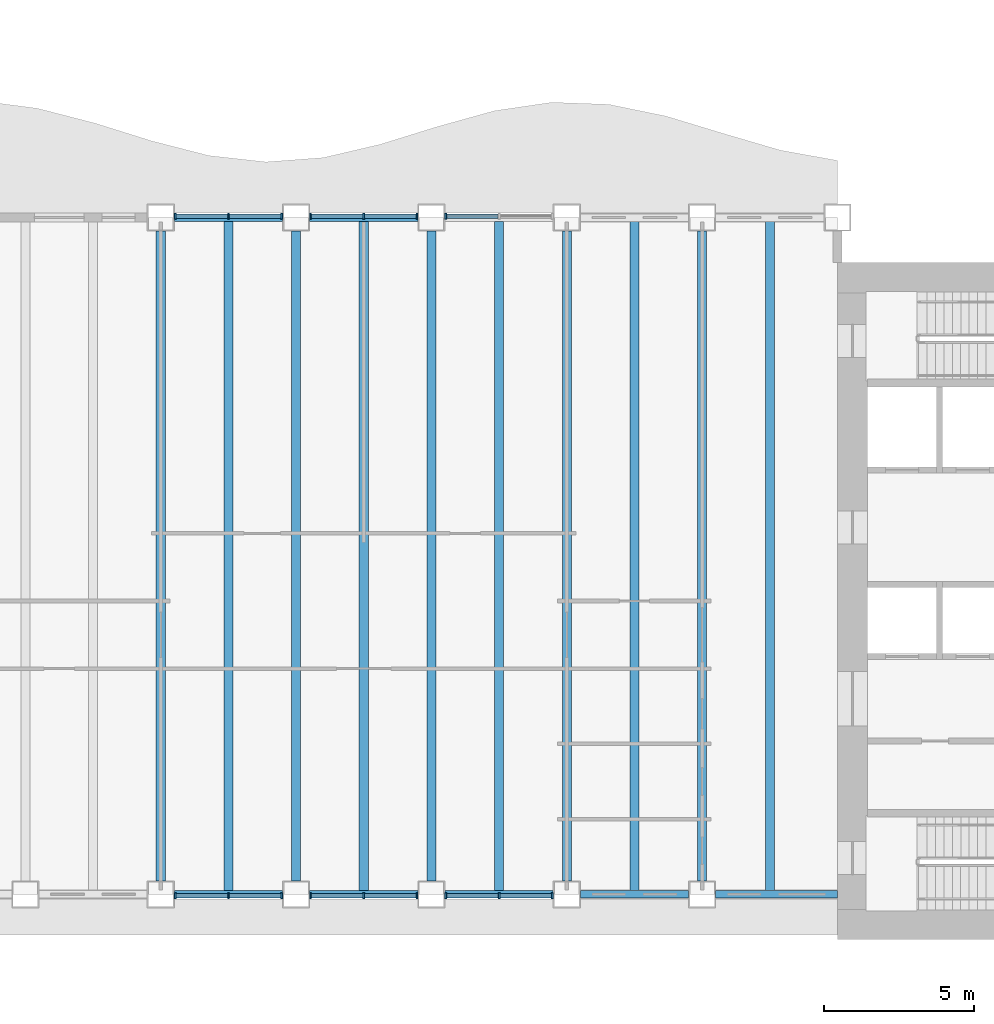
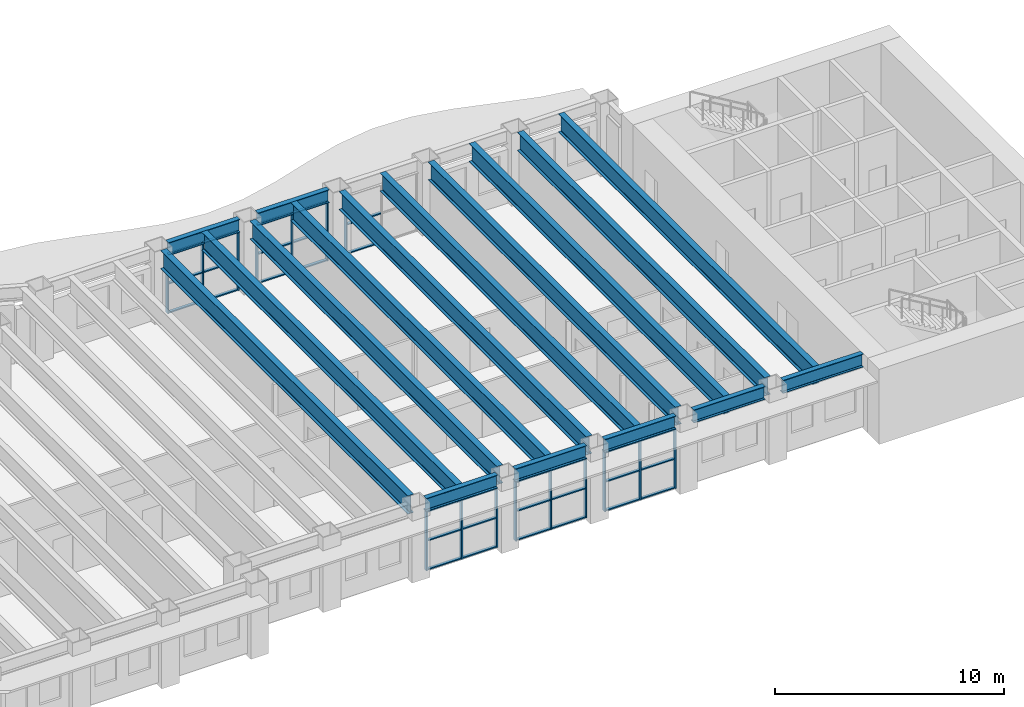
# One storey, part 2 of 17: 48 members, 17 beams, 6 elements without a shape of their own.
"""IFC4 building model written with IfcOpenShell, lengths in metres."""

from ifc_helpers import new_model, si_unit, direction, frame, origin, origin_2d, place, context, subcontext, project, spatial, rectangle, i_section, extrude, material, material_profile, profile_set, type_object, element, aggregate, save


model = new_model("IFC4")

# Units and contexts
model_context = context("Model", 3, precision=1e-05, world=origin(), true_north=direction((0.0, 1.0)))
body_context = subcontext(model_context, "Body", "Model", "MODEL_VIEW")
ifc_project = project(units=[si_unit("LENGTHUNIT", "METRE"), si_unit("AREAUNIT", "SQUARE_METRE"), si_unit("VOLUMEUNIT", "CUBIC_METRE"), si_unit("PLANEANGLEUNIT", "RADIAN"), si_unit("MASSUNIT", "GRAM", prefix="KILO")], contexts=[model_context])

# Site, building, storey
site_placement = place(None, origin())
site = spatial("IfcSite", under=ifc_project, at=site_placement, CompositionType="ELEMENT")
building_placement = place(site_placement, origin())
building = spatial("IfcBuilding", under=site, at=building_placement, Name="Sennacour Bend Tower", CompositionType="ELEMENT")
storey_placement = place(building_placement, frame((0.0, 0.0, 151.0)))
storey = spatial("IfcBuildingStorey", under=building, at=storey_placement, Name="L34", CompositionType="ELEMENT", Elevation=151.0)

# Curtain wall, members
ifc_material_1 = material(Name="Bronze anodised aluminium curtain wall with clear glass", Category="aluminium")
curtain_wall_type = type_object("IfcCurtainWallType", Name="CURTAIN WALL BRIDGE", PredefinedType="NOTDEFINED", material=ifc_material_1)
curtain_wall_1_placement = place(storey_placement, origin())
curtain_wall_1 = element("IfcCurtainWall", 1, at=curtain_wall_1_placement, inside=storey, type_object=curtain_wall_type, Name="Sky bridge glass wall L34", PredefinedType="NOTDEFINED")
ifc_material_2 = material(Name="Aluminium 6063-T6", Category="aluminium")
ifc_material_profile_1 = material_profile(ifc_material_2, rectangle(XDim=0.199951171875, YDim=0.06005859375, at=origin_2d()), Name="Aluminium 6063-T6", Category="aluminium")
ifc_profile_set_1 = profile_set([ifc_material_profile_1], Name="Aluminium 6063-T6")
member_type_1 = type_object("IfcMemberType", Name="CW-MULLION-200X60", PredefinedType="MULLION", material=ifc_profile_set_1)
member_1_placement = place(storey_placement, frame((31.97998046875, 1.449951171875, 0.0), z_axis=(0.0, 0.0, 1.0), x_axis=(0.0, 1.0, 0.0)))
member_1 = element("IfcMember", 2, at=member_1_placement, type_object=member_type_1, Name="GW5 curtain wall mullion 1", PredefinedType="MULLION", context=body_context, shape_type="SweptSolid", body=[
    extrude(rectangle(XDim=0.199951171875, YDim=0.06005859375, at=origin_2d()), origin(), (0.0, 0.0, 1.0), 3.14892578125),
])
member_2_placement = place(storey_placement, frame((33.75, 1.449951171875, 0.0), z_axis=(0.0, 0.0, 1.0), x_axis=(0.0, 1.0, 0.0)))
member_2 = element("IfcMember", 3, at=member_2_placement, type_object=member_type_1, Name="GW5 curtain wall mullion 2", PredefinedType="MULLION", context=body_context, shape_type="SweptSolid", body=[
    extrude(rectangle(XDim=0.199951171875, YDim=0.06005859375, at=origin_2d()), origin(), (0.0, 0.0, 1.0), 3.14892578125),
])
member_3_placement = place(storey_placement, frame((35.52001953125, 1.449951171875, 0.0), z_axis=(0.0, 0.0, 1.0), x_axis=(0.0, 1.0, 0.0)))
member_3 = element("IfcMember", 4, at=member_3_placement, type_object=member_type_1, Name="GW5 curtain wall mullion 3", PredefinedType="MULLION", context=body_context, shape_type="SweptSolid", body=[
    extrude(rectangle(XDim=0.199951171875, YDim=0.06005859375, at=origin_2d()), origin(), (0.0, 0.0, 1.0), 3.14892578125),
])

curtain_wall_2_placement = place(storey_placement, origin())
curtain_wall_2 = element("IfcCurtainWall", 5, at=curtain_wall_2_placement, inside=storey, type_object=curtain_wall_type, Name="Sky bridge glass wall L34", PredefinedType="NOTDEFINED")
member_4_placement = place(storey_placement, frame((36.47998046875, 1.449951171875, 0.0), z_axis=(0.0, 0.0, 1.0), x_axis=(0.0, 1.0, 0.0)))
member_4 = element("IfcMember", 6, at=member_4_placement, type_object=member_type_1, Name="GW5 curtain wall mullion 1", PredefinedType="MULLION", context=body_context, shape_type="SweptSolid", body=[
    extrude(rectangle(XDim=0.199951171875, YDim=0.06005859375, at=origin_2d()), origin(), (0.0, 0.0, 1.0), 3.14892578125),
])
member_5_placement = place(storey_placement, frame((38.25, 1.449951171875, 0.0), z_axis=(0.0, 0.0, 1.0), x_axis=(0.0, 1.0, 0.0)))
member_5 = element("IfcMember", 7, at=member_5_placement, type_object=member_type_1, Name="GW5 curtain wall mullion 2", PredefinedType="MULLION", context=body_context, shape_type="SweptSolid", body=[
    extrude(rectangle(XDim=0.199951171875, YDim=0.06005859375, at=origin_2d()), origin(), (0.0, 0.0, 1.0), 3.14892578125),
])
member_6_placement = place(storey_placement, frame((40.02001953125, 1.449951171875, 0.0), z_axis=(0.0, 0.0, 1.0), x_axis=(0.0, 1.0, 0.0)))
member_6 = element("IfcMember", 8, at=member_6_placement, type_object=member_type_1, Name="GW5 curtain wall mullion 3", PredefinedType="MULLION", context=body_context, shape_type="SweptSolid", body=[
    extrude(rectangle(XDim=0.199951171875, YDim=0.06005859375, at=origin_2d()), origin(), (0.0, 0.0, 1.0), 3.14892578125),
])

curtain_wall_3_placement = place(storey_placement, origin())
curtain_wall_3 = element("IfcCurtainWall", 9, at=curtain_wall_3_placement, inside=storey, type_object=curtain_wall_type, Name="Sky bridge glass wall L34", PredefinedType="NOTDEFINED")
member_7_placement = place(storey_placement, frame((40.97998046875, 1.449951171875, 0.0), z_axis=(0.0, 0.0, 1.0), x_axis=(0.0, 1.0, 0.0)))
member_7 = element("IfcMember", 10, at=member_7_placement, type_object=member_type_1, Name="GW5 curtain wall mullion 1", PredefinedType="MULLION", context=body_context, shape_type="SweptSolid", body=[
    extrude(rectangle(XDim=0.199951171875, YDim=0.06005859375, at=origin_2d()), origin(), (0.0, 0.0, 1.0), 3.14892578125),
])
member_8_placement = place(storey_placement, frame((42.75, 1.449951171875, 0.0), z_axis=(0.0, 0.0, 1.0), x_axis=(0.0, 1.0, 0.0)))
member_8 = element("IfcMember", 11, at=member_8_placement, type_object=member_type_1, Name="GW5 curtain wall mullion 2", PredefinedType="MULLION", context=body_context, shape_type="SweptSolid", body=[
    extrude(rectangle(XDim=0.199951171875, YDim=0.06005859375, at=origin_2d()), origin(), (0.0, 0.0, 1.0), 3.14892578125),
])
member_9_placement = place(storey_placement, frame((44.52001953125, 1.449951171875, 0.0), z_axis=(0.0, 0.0, 1.0), x_axis=(0.0, 1.0, 0.0)))
member_9 = element("IfcMember", 12, at=member_9_placement, type_object=member_type_1, Name="GW5 curtain wall mullion 3", PredefinedType="MULLION", context=body_context, shape_type="SweptSolid", body=[
    extrude(rectangle(XDim=0.199951171875, YDim=0.06005859375, at=origin_2d()), origin(), (0.0, 0.0, 1.0), 3.14892578125),
])

# Curtain wall, member
curtain_wall_4_placement = place(storey_placement, origin())
curtain_wall_4 = element("IfcCurtainWall", 13, at=curtain_wall_4_placement, inside=storey, type_object=curtain_wall_type, Name="Sky bridge glass wall L34", PredefinedType="NOTDEFINED")
member_10_placement = place(storey_placement, frame((40.97998046875, 24.050048828125, 0.0), z_axis=(0.0, 0.0, 1.0), x_axis=(0.0, -1.0, 0.0)))
member_10 = element("IfcMember", 14, at=member_10_placement, type_object=member_type_1, Name="GW5 curtain wall mullion 3", PredefinedType="MULLION", context=body_context, shape_type="SweptSolid", body=[
    extrude(rectangle(XDim=0.199951171875, YDim=0.06005859375, at=origin_2d()), origin(), (0.0, 0.0, 1.0), 3.14892578125),
])

# Curtain wall, members
curtain_wall_5_placement = place(storey_placement, origin())
curtain_wall_5 = element("IfcCurtainWall", 15, at=curtain_wall_5_placement, inside=storey, type_object=curtain_wall_type, Name="Sky bridge glass wall L34", PredefinedType="NOTDEFINED")
member_11_placement = place(storey_placement, frame((40.02001953125, 24.050048828125, 0.0), z_axis=(0.0, 0.0, 1.0), x_axis=(0.0, -1.0, 0.0)))
member_11 = element("IfcMember", 16, at=member_11_placement, type_object=member_type_1, Name="GW5 curtain wall mullion 1", PredefinedType="MULLION", context=body_context, shape_type="SweptSolid", body=[
    extrude(rectangle(XDim=0.199951171875, YDim=0.06005859375, at=origin_2d()), origin(), (0.0, 0.0, 1.0), 3.14892578125),
])
member_12_placement = place(storey_placement, frame((38.25, 24.050048828125, 0.0), z_axis=(0.0, 0.0, 1.0), x_axis=(0.0, -1.0, 0.0)))
member_12 = element("IfcMember", 17, at=member_12_placement, type_object=member_type_1, Name="GW5 curtain wall mullion 2", PredefinedType="MULLION", context=body_context, shape_type="SweptSolid", body=[
    extrude(rectangle(XDim=0.199951171875, YDim=0.06005859375, at=origin_2d()), origin(), (0.0, 0.0, 1.0), 3.14892578125),
])
member_13_placement = place(storey_placement, frame((36.47998046875, 24.050048828125, 0.0), z_axis=(0.0, 0.0, 1.0), x_axis=(0.0, -1.0, 0.0)))
member_13 = element("IfcMember", 18, at=member_13_placement, type_object=member_type_1, Name="GW5 curtain wall mullion 3", PredefinedType="MULLION", context=body_context, shape_type="SweptSolid", body=[
    extrude(rectangle(XDim=0.199951171875, YDim=0.06005859375, at=origin_2d()), origin(), (0.0, 0.0, 1.0), 3.14892578125),
])

curtain_wall_6_placement = place(storey_placement, origin())
curtain_wall_6 = element("IfcCurtainWall", 19, at=curtain_wall_6_placement, inside=storey, type_object=curtain_wall_type, Name="Sky bridge glass wall L34", PredefinedType="NOTDEFINED")
member_14_placement = place(storey_placement, frame((35.52001953125, 24.050048828125, 0.0), z_axis=(0.0, 0.0, 1.0), x_axis=(0.0, -1.0, 0.0)))
member_14 = element("IfcMember", 20, at=member_14_placement, type_object=member_type_1, Name="GW5 curtain wall mullion 1", PredefinedType="MULLION", context=body_context, shape_type="SweptSolid", body=[
    extrude(rectangle(XDim=0.199951171875, YDim=0.06005859375, at=origin_2d()), origin(), (0.0, 0.0, 1.0), 3.14892578125),
])
member_15_placement = place(storey_placement, frame((33.75, 24.050048828125, 0.0), z_axis=(0.0, 0.0, 1.0), x_axis=(0.0, -1.0, 0.0)))
member_15 = element("IfcMember", 21, at=member_15_placement, type_object=member_type_1, Name="GW5 curtain wall mullion 2", PredefinedType="MULLION", context=body_context, shape_type="SweptSolid", body=[
    extrude(rectangle(XDim=0.199951171875, YDim=0.06005859375, at=origin_2d()), origin(), (0.0, 0.0, 1.0), 3.14892578125),
])
member_16_placement = place(storey_placement, frame((31.97998046875, 24.050048828125, 0.0), z_axis=(0.0, 0.0, 1.0), x_axis=(0.0, -1.0, 0.0)))
member_16 = element("IfcMember", 22, at=member_16_placement, type_object=member_type_1, Name="GW5 curtain wall mullion 3", PredefinedType="MULLION", context=body_context, shape_type="SweptSolid", body=[
    extrude(rectangle(XDim=0.199951171875, YDim=0.06005859375, at=origin_2d()), origin(), (0.0, 0.0, 1.0), 3.14892578125),
])

# Member
ifc_material_profile_2 = material_profile(ifc_material_2, rectangle(XDim=0.14990234375, YDim=0.06005859375, at=origin_2d()), Name="Aluminium 6063-T6", Category="aluminium")
ifc_profile_set_2 = profile_set([ifc_material_profile_2], Name="Aluminium 6063-T6")
member_type_2 = type_object("IfcMemberType", Name="CW-TRANSOM-150X60", PredefinedType="USERDEFINED", material=ifc_profile_set_2)
member_17_placement = place(storey_placement, frame((32.010009765625, 1.449951171875, 0.030029296875), z_axis=(1.0, 0.0, 0.0), x_axis=(0.0, 1.0, 0.0)))
member_17 = element("IfcMember", 23, at=member_17_placement, type_object=member_type_2, Name="GW5 curtain wall transom 1.1", ObjectType="TRANSOM", PredefinedType="USERDEFINED", context=body_context, shape_type="SweptSolid", body=[
    extrude(rectangle(XDim=0.14990234375, YDim=0.06005859375, at=origin_2d()), origin(), (0.0, 0.0, 1.0), 1.7099609375),
])

member_18_placement = place(storey_placement, frame((32.010009765625, 1.449951171875, 1.574951171875), z_axis=(1.0, 0.0, 0.0), x_axis=(0.0, 1.0, 0.0)))
member_18 = element("IfcMember", 24, at=member_18_placement, type_object=member_type_2, Name="GW5 curtain wall transom 1.2", ObjectType="TRANSOM", PredefinedType="USERDEFINED", context=body_context, shape_type="SweptSolid", body=[
    extrude(rectangle(XDim=0.14990234375, YDim=0.06005859375, at=origin_2d()), origin(), (0.0, 0.0, 1.0), 1.7099609375),
])

member_19_placement = place(storey_placement, frame((32.010009765625, 1.449951171875, 3.118896484375), z_axis=(1.0, 0.0, 0.0), x_axis=(0.0, 1.0, 0.0)))
member_19 = element("IfcMember", 25, at=member_19_placement, type_object=member_type_2, Name="GW5 curtain wall transom 1.3", ObjectType="TRANSOM", PredefinedType="USERDEFINED", context=body_context, shape_type="SweptSolid", body=[
    extrude(rectangle(XDim=0.14990234375, YDim=0.06005859375, at=origin_2d()), origin(), (0.0, 0.0, 1.0), 1.7099609375),
])

member_20_placement = place(storey_placement, frame((33.780029296875, 1.449951171875, 0.030029296875), z_axis=(1.0, 0.0, 0.0), x_axis=(0.0, 1.0, 0.0)))
member_20 = element("IfcMember", 26, at=member_20_placement, type_object=member_type_2, Name="GW5 curtain wall transom 2.1", ObjectType="TRANSOM", PredefinedType="USERDEFINED", context=body_context, shape_type="SweptSolid", body=[
    extrude(rectangle(XDim=0.14990234375, YDim=0.06005859375, at=origin_2d()), origin(), (0.0, 0.0, 1.0), 1.7099609375),
])

member_21_placement = place(storey_placement, frame((33.780029296875, 1.449951171875, 1.574951171875), z_axis=(1.0, 0.0, 0.0), x_axis=(0.0, 1.0, 0.0)))
member_21 = element("IfcMember", 27, at=member_21_placement, type_object=member_type_2, Name="GW5 curtain wall transom 2.2", ObjectType="TRANSOM", PredefinedType="USERDEFINED", context=body_context, shape_type="SweptSolid", body=[
    extrude(rectangle(XDim=0.14990234375, YDim=0.06005859375, at=origin_2d()), origin(), (0.0, 0.0, 1.0), 1.7099609375),
])

member_22_placement = place(storey_placement, frame((33.780029296875, 1.449951171875, 3.118896484375), z_axis=(1.0, 0.0, 0.0), x_axis=(0.0, 1.0, 0.0)))
member_22 = element("IfcMember", 28, at=member_22_placement, type_object=member_type_2, Name="GW5 curtain wall transom 2.3", ObjectType="TRANSOM", PredefinedType="USERDEFINED", context=body_context, shape_type="SweptSolid", body=[
    extrude(rectangle(XDim=0.14990234375, YDim=0.06005859375, at=origin_2d()), origin(), (0.0, 0.0, 1.0), 1.7099609375),
])

aggregate(curtain_wall_1, [member_1, member_2, member_3, member_17, member_18, member_19, member_20, member_21, member_22])

member_23_placement = place(storey_placement, frame((36.510009765625, 1.449951171875, 0.030029296875), z_axis=(1.0, 0.0, 0.0), x_axis=(0.0, 1.0, 0.0)))
member_23 = element("IfcMember", 29, at=member_23_placement, type_object=member_type_2, Name="GW5 curtain wall transom 1.1", ObjectType="TRANSOM", PredefinedType="USERDEFINED", context=body_context, shape_type="SweptSolid", body=[
    extrude(rectangle(XDim=0.14990234375, YDim=0.06005859375, at=origin_2d()), origin(), (0.0, 0.0, 1.0), 1.7099609375),
])

member_24_placement = place(storey_placement, frame((36.510009765625, 1.449951171875, 1.574951171875), z_axis=(1.0, 0.0, 0.0), x_axis=(0.0, 1.0, 0.0)))
member_24 = element("IfcMember", 30, at=member_24_placement, type_object=member_type_2, Name="GW5 curtain wall transom 1.2", ObjectType="TRANSOM", PredefinedType="USERDEFINED", context=body_context, shape_type="SweptSolid", body=[
    extrude(rectangle(XDim=0.14990234375, YDim=0.06005859375, at=origin_2d()), origin(), (0.0, 0.0, 1.0), 1.7099609375),
])

member_25_placement = place(storey_placement, frame((36.510009765625, 1.449951171875, 3.118896484375), z_axis=(1.0, 0.0, 0.0), x_axis=(0.0, 1.0, 0.0)))
member_25 = element("IfcMember", 31, at=member_25_placement, type_object=member_type_2, Name="GW5 curtain wall transom 1.3", ObjectType="TRANSOM", PredefinedType="USERDEFINED", context=body_context, shape_type="SweptSolid", body=[
    extrude(rectangle(XDim=0.14990234375, YDim=0.06005859375, at=origin_2d()), origin(), (0.0, 0.0, 1.0), 1.7099609375),
])

member_26_placement = place(storey_placement, frame((38.280029296875, 1.449951171875, 0.030029296875), z_axis=(1.0, 0.0, 0.0), x_axis=(0.0, 1.0, 0.0)))
member_26 = element("IfcMember", 32, at=member_26_placement, type_object=member_type_2, Name="GW5 curtain wall transom 2.1", ObjectType="TRANSOM", PredefinedType="USERDEFINED", context=body_context, shape_type="SweptSolid", body=[
    extrude(rectangle(XDim=0.14990234375, YDim=0.06005859375, at=origin_2d()), origin(), (0.0, 0.0, 1.0), 1.7099609375),
])

member_27_placement = place(storey_placement, frame((38.280029296875, 1.449951171875, 1.574951171875), z_axis=(1.0, 0.0, 0.0), x_axis=(0.0, 1.0, 0.0)))
member_27 = element("IfcMember", 33, at=member_27_placement, type_object=member_type_2, Name="GW5 curtain wall transom 2.2", ObjectType="TRANSOM", PredefinedType="USERDEFINED", context=body_context, shape_type="SweptSolid", body=[
    extrude(rectangle(XDim=0.14990234375, YDim=0.06005859375, at=origin_2d()), origin(), (0.0, 0.0, 1.0), 1.7099609375),
])

member_28_placement = place(storey_placement, frame((38.280029296875, 1.449951171875, 3.118896484375), z_axis=(1.0, 0.0, 0.0), x_axis=(0.0, 1.0, 0.0)))
member_28 = element("IfcMember", 34, at=member_28_placement, type_object=member_type_2, Name="GW5 curtain wall transom 2.3", ObjectType="TRANSOM", PredefinedType="USERDEFINED", context=body_context, shape_type="SweptSolid", body=[
    extrude(rectangle(XDim=0.14990234375, YDim=0.06005859375, at=origin_2d()), origin(), (0.0, 0.0, 1.0), 1.7099609375),
])

aggregate(curtain_wall_2, [member_4, member_5, member_6, member_23, member_24, member_25, member_26, member_27, member_28])

member_29_placement = place(storey_placement, frame((41.010009765625, 1.449951171875, 0.030029296875), z_axis=(1.0, 0.0, 0.0), x_axis=(0.0, 1.0, 0.0)))
member_29 = element("IfcMember", 35, at=member_29_placement, type_object=member_type_2, Name="GW5 curtain wall transom 1.1", ObjectType="TRANSOM", PredefinedType="USERDEFINED", context=body_context, shape_type="SweptSolid", body=[
    extrude(rectangle(XDim=0.14990234375, YDim=0.06005859375, at=origin_2d()), origin(), (0.0, 0.0, 1.0), 1.7099609375),
])

member_30_placement = place(storey_placement, frame((41.010009765625, 1.449951171875, 1.574951171875), z_axis=(1.0, 0.0, 0.0), x_axis=(0.0, 1.0, 0.0)))
member_30 = element("IfcMember", 36, at=member_30_placement, type_object=member_type_2, Name="GW5 curtain wall transom 1.2", ObjectType="TRANSOM", PredefinedType="USERDEFINED", context=body_context, shape_type="SweptSolid", body=[
    extrude(rectangle(XDim=0.14990234375, YDim=0.06005859375, at=origin_2d()), origin(), (0.0, 0.0, 1.0), 1.7099609375),
])

member_31_placement = place(storey_placement, frame((41.010009765625, 1.449951171875, 3.118896484375), z_axis=(1.0, 0.0, 0.0), x_axis=(0.0, 1.0, 0.0)))
member_31 = element("IfcMember", 37, at=member_31_placement, type_object=member_type_2, Name="GW5 curtain wall transom 1.3", ObjectType="TRANSOM", PredefinedType="USERDEFINED", context=body_context, shape_type="SweptSolid", body=[
    extrude(rectangle(XDim=0.14990234375, YDim=0.06005859375, at=origin_2d()), origin(), (0.0, 0.0, 1.0), 1.7099609375),
])

member_32_placement = place(storey_placement, frame((42.780029296875, 1.449951171875, 0.030029296875), z_axis=(1.0, 0.0, 0.0), x_axis=(0.0, 1.0, 0.0)))
member_32 = element("IfcMember", 38, at=member_32_placement, type_object=member_type_2, Name="GW5 curtain wall transom 2.1", ObjectType="TRANSOM", PredefinedType="USERDEFINED", context=body_context, shape_type="SweptSolid", body=[
    extrude(rectangle(XDim=0.14990234375, YDim=0.06005859375, at=origin_2d()), origin(), (0.0, 0.0, 1.0), 1.7099609375),
])

member_33_placement = place(storey_placement, frame((42.780029296875, 1.449951171875, 1.574951171875), z_axis=(1.0, 0.0, 0.0), x_axis=(0.0, 1.0, 0.0)))
member_33 = element("IfcMember", 39, at=member_33_placement, type_object=member_type_2, Name="GW5 curtain wall transom 2.2", ObjectType="TRANSOM", PredefinedType="USERDEFINED", context=body_context, shape_type="SweptSolid", body=[
    extrude(rectangle(XDim=0.14990234375, YDim=0.06005859375, at=origin_2d()), origin(), (0.0, 0.0, 1.0), 1.7099609375),
])

member_34_placement = place(storey_placement, frame((42.780029296875, 1.449951171875, 3.118896484375), z_axis=(1.0, 0.0, 0.0), x_axis=(0.0, 1.0, 0.0)))
member_34 = element("IfcMember", 40, at=member_34_placement, type_object=member_type_2, Name="GW5 curtain wall transom 2.3", ObjectType="TRANSOM", PredefinedType="USERDEFINED", context=body_context, shape_type="SweptSolid", body=[
    extrude(rectangle(XDim=0.14990234375, YDim=0.06005859375, at=origin_2d()), origin(), (0.0, 0.0, 1.0), 1.7099609375),
])

aggregate(curtain_wall_3, [member_7, member_8, member_9, member_29, member_30, member_31, member_32, member_33, member_34])

member_35_placement = place(storey_placement, frame((42.719970703125, 24.050048828125, 0.030029296875), z_axis=(-1.0, 0.0, 0.0), x_axis=(0.0, -1.0, 0.0)))
member_35 = element("IfcMember", 41, at=member_35_placement, type_object=member_type_2, Name="GW5 curtain wall transom 2.1", ObjectType="TRANSOM", PredefinedType="USERDEFINED", context=body_context, shape_type="SweptSolid", body=[
    extrude(rectangle(XDim=0.14990234375, YDim=0.06005859375, at=origin_2d()), origin(), (0.0, 0.0, 1.0), 1.7099609375),
])

member_36_placement = place(storey_placement, frame((42.719970703125, 24.050048828125, 1.574951171875), z_axis=(-1.0, 0.0, 0.0), x_axis=(0.0, -1.0, 0.0)))
member_36 = element("IfcMember", 42, at=member_36_placement, type_object=member_type_2, Name="GW5 curtain wall transom 2.2", ObjectType="TRANSOM", PredefinedType="USERDEFINED", context=body_context, shape_type="SweptSolid", body=[
    extrude(rectangle(XDim=0.14990234375, YDim=0.06005859375, at=origin_2d()), origin(), (0.0, 0.0, 1.0), 1.7099609375),
])

aggregate(curtain_wall_4, [member_10, member_35, member_36])

member_37_placement = place(storey_placement, frame((39.989990234375, 24.050048828125, 0.030029296875), z_axis=(-1.0, 0.0, 0.0), x_axis=(0.0, -1.0, 0.0)))
member_37 = element("IfcMember", 43, at=member_37_placement, type_object=member_type_2, Name="GW5 curtain wall transom 1.1", ObjectType="TRANSOM", PredefinedType="USERDEFINED", context=body_context, shape_type="SweptSolid", body=[
    extrude(rectangle(XDim=0.14990234375, YDim=0.06005859375, at=origin_2d()), origin(), (0.0, 0.0, 1.0), 1.7099609375),
])

member_38_placement = place(storey_placement, frame((39.989990234375, 24.050048828125, 1.574951171875), z_axis=(-1.0, 0.0, 0.0), x_axis=(0.0, -1.0, 0.0)))
member_38 = element("IfcMember", 44, at=member_38_placement, type_object=member_type_2, Name="GW5 curtain wall transom 1.2", ObjectType="TRANSOM", PredefinedType="USERDEFINED", context=body_context, shape_type="SweptSolid", body=[
    extrude(rectangle(XDim=0.14990234375, YDim=0.06005859375, at=origin_2d()), origin(), (0.0, 0.0, 1.0), 1.7099609375),
])

member_39_placement = place(storey_placement, frame((39.989990234375, 24.050048828125, 3.118896484375), z_axis=(-1.0, 0.0, 0.0), x_axis=(0.0, -1.0, 0.0)))
member_39 = element("IfcMember", 45, at=member_39_placement, type_object=member_type_2, Name="GW5 curtain wall transom 1.3", ObjectType="TRANSOM", PredefinedType="USERDEFINED", context=body_context, shape_type="SweptSolid", body=[
    extrude(rectangle(XDim=0.14990234375, YDim=0.06005859375, at=origin_2d()), origin(), (0.0, 0.0, 1.0), 1.7099609375),
])

member_40_placement = place(storey_placement, frame((38.219970703125, 24.050048828125, 0.030029296875), z_axis=(-1.0, 0.0, 0.0), x_axis=(0.0, -1.0, 0.0)))
member_40 = element("IfcMember", 46, at=member_40_placement, type_object=member_type_2, Name="GW5 curtain wall transom 2.1", ObjectType="TRANSOM", PredefinedType="USERDEFINED", context=body_context, shape_type="SweptSolid", body=[
    extrude(rectangle(XDim=0.14990234375, YDim=0.06005859375, at=origin_2d()), origin(), (0.0, 0.0, 1.0), 1.7099609375),
])

member_41_placement = place(storey_placement, frame((38.219970703125, 24.050048828125, 1.574951171875), z_axis=(-1.0, 0.0, 0.0), x_axis=(0.0, -1.0, 0.0)))
member_41 = element("IfcMember", 47, at=member_41_placement, type_object=member_type_2, Name="GW5 curtain wall transom 2.2", ObjectType="TRANSOM", PredefinedType="USERDEFINED", context=body_context, shape_type="SweptSolid", body=[
    extrude(rectangle(XDim=0.14990234375, YDim=0.06005859375, at=origin_2d()), origin(), (0.0, 0.0, 1.0), 1.7099609375),
])

member_42_placement = place(storey_placement, frame((38.219970703125, 24.050048828125, 3.118896484375), z_axis=(-1.0, 0.0, 0.0), x_axis=(0.0, -1.0, 0.0)))
member_42 = element("IfcMember", 48, at=member_42_placement, type_object=member_type_2, Name="GW5 curtain wall transom 2.3", ObjectType="TRANSOM", PredefinedType="USERDEFINED", context=body_context, shape_type="SweptSolid", body=[
    extrude(rectangle(XDim=0.14990234375, YDim=0.06005859375, at=origin_2d()), origin(), (0.0, 0.0, 1.0), 1.7099609375),
])

aggregate(curtain_wall_5, [member_11, member_12, member_13, member_37, member_38, member_39, member_40, member_41, member_42])

member_43_placement = place(storey_placement, frame((35.489990234375, 24.050048828125, 0.030029296875), z_axis=(-1.0, 0.0, 0.0), x_axis=(0.0, -1.0, 0.0)))
member_43 = element("IfcMember", 49, at=member_43_placement, type_object=member_type_2, Name="GW5 curtain wall transom 1.1", ObjectType="TRANSOM", PredefinedType="USERDEFINED", context=body_context, shape_type="SweptSolid", body=[
    extrude(rectangle(XDim=0.14990234375, YDim=0.06005859375, at=origin_2d()), origin(), (0.0, 0.0, 1.0), 1.7099609375),
])

member_44_placement = place(storey_placement, frame((35.489990234375, 24.050048828125, 1.574951171875), z_axis=(-1.0, 0.0, 0.0), x_axis=(0.0, -1.0, 0.0)))
member_44 = element("IfcMember", 50, at=member_44_placement, type_object=member_type_2, Name="GW5 curtain wall transom 1.2", ObjectType="TRANSOM", PredefinedType="USERDEFINED", context=body_context, shape_type="SweptSolid", body=[
    extrude(rectangle(XDim=0.14990234375, YDim=0.06005859375, at=origin_2d()), origin(), (0.0, 0.0, 1.0), 1.7099609375),
])

member_45_placement = place(storey_placement, frame((35.489990234375, 24.050048828125, 3.118896484375), z_axis=(-1.0, 0.0, 0.0), x_axis=(0.0, -1.0, 0.0)))
member_45 = element("IfcMember", 51, at=member_45_placement, type_object=member_type_2, Name="GW5 curtain wall transom 1.3", ObjectType="TRANSOM", PredefinedType="USERDEFINED", context=body_context, shape_type="SweptSolid", body=[
    extrude(rectangle(XDim=0.14990234375, YDim=0.06005859375, at=origin_2d()), origin(), (0.0, 0.0, 1.0), 1.7099609375),
])

member_46_placement = place(storey_placement, frame((33.719970703125, 24.050048828125, 0.030029296875), z_axis=(-1.0, 0.0, 0.0), x_axis=(0.0, -1.0, 0.0)))
member_46 = element("IfcMember", 52, at=member_46_placement, type_object=member_type_2, Name="GW5 curtain wall transom 2.1", ObjectType="TRANSOM", PredefinedType="USERDEFINED", context=body_context, shape_type="SweptSolid", body=[
    extrude(rectangle(XDim=0.14990234375, YDim=0.06005859375, at=origin_2d()), origin(), (0.0, 0.0, 1.0), 1.7099609375),
])

member_47_placement = place(storey_placement, frame((33.719970703125, 24.050048828125, 1.574951171875), z_axis=(-1.0, 0.0, 0.0), x_axis=(0.0, -1.0, 0.0)))
member_47 = element("IfcMember", 53, at=member_47_placement, type_object=member_type_2, Name="GW5 curtain wall transom 2.2", ObjectType="TRANSOM", PredefinedType="USERDEFINED", context=body_context, shape_type="SweptSolid", body=[
    extrude(rectangle(XDim=0.14990234375, YDim=0.06005859375, at=origin_2d()), origin(), (0.0, 0.0, 1.0), 1.7099609375),
])

member_48_placement = place(storey_placement, frame((33.719970703125, 24.050048828125, 3.118896484375), z_axis=(-1.0, 0.0, 0.0), x_axis=(0.0, -1.0, 0.0)))
member_48 = element("IfcMember", 54, at=member_48_placement, type_object=member_type_2, Name="GW5 curtain wall transom 2.3", ObjectType="TRANSOM", PredefinedType="USERDEFINED", context=body_context, shape_type="SweptSolid", body=[
    extrude(rectangle(XDim=0.14990234375, YDim=0.06005859375, at=origin_2d()), origin(), (0.0, 0.0, 1.0), 1.7099609375),
])

aggregate(curtain_wall_6, [member_14, member_15, member_16, member_43, member_44, member_45, member_46, member_47, member_48])

# Beams
ifc_material_3 = material(Name="Steel ASTM A992 Grade 50", Category="steel")
ifc_material_profile_3 = material_profile(ifc_material_3, i_section(OverallWidth=0.300048828125, OverallDepth=0.97998046875, WebThickness=0.0166015625, FlangeThickness=0.026123046875, FilletRadius=0.02978515625, at=origin_2d()), Name="Steel ASTM A992 Grade 50", Category="steel")
ifc_profile_set_3 = profile_set([ifc_material_profile_3], Name="Steel ASTM A992 Grade 50")
beam_type_1 = type_object("IfcBeamType", Name="Floor beam W1000X249", PredefinedType="BEAM", material=ifc_profile_set_3)
beam_1_placement = place(storey_placement, frame((31.5, 1.949951171875, 3.360107421875), z_axis=(0.0, 1.0, 0.0), x_axis=(-1.0, 0.0, 0.0)))
element("IfcBeam", 55, at=beam_1_placement, inside=storey, type_object=beam_type_1, Name="Floor beam FBM2 L35-025", PredefinedType="BEAM", context=body_context, shape_type="SweptSolid", body=[
    extrude(i_section(OverallWidth=0.300048828125, OverallDepth=0.97998046875, WebThickness=0.0166015625, FlangeThickness=0.026123046875, FilletRadius=0.02978515625, at=origin_2d()), origin(), (0.0, 0.0, 1.0), 21.60009765625),
])
beam_2_placement = place(storey_placement, frame((33.75, 1.626953125, 3.360107421875), z_axis=(0.0, 1.0, 0.0), x_axis=(-1.0, 0.0, 0.0)))
element("IfcBeam", 56, at=beam_2_placement, inside=storey, type_object=beam_type_1, Name="Floor beam FBM2 L35-026", PredefinedType="BEAM", context=body_context, shape_type="SweptSolid", body=[
    extrude(i_section(OverallWidth=0.300048828125, OverallDepth=0.97998046875, WebThickness=0.0166015625, FlangeThickness=0.026123046875, FilletRadius=0.02978515625, at=origin_2d()), origin(), (0.0, 0.0, 1.0), 22.24609375),
])
beam_3_placement = place(storey_placement, frame((36.0, 1.949951171875, 3.360107421875), z_axis=(0.0, 1.0, 0.0), x_axis=(-1.0, 0.0, 0.0)))
element("IfcBeam", 57, at=beam_3_placement, inside=storey, type_object=beam_type_1, Name="Floor beam FBM2 L35-027", PredefinedType="BEAM", context=body_context, shape_type="SweptSolid", body=[
    extrude(i_section(OverallWidth=0.300048828125, OverallDepth=0.97998046875, WebThickness=0.0166015625, FlangeThickness=0.026123046875, FilletRadius=0.02978515625, at=origin_2d()), origin(), (0.0, 0.0, 1.0), 21.60009765625),
])
beam_4_placement = place(storey_placement, frame((38.25, 1.626953125, 3.360107421875), z_axis=(0.0, 1.0, 0.0), x_axis=(-1.0, 0.0, 0.0)))
element("IfcBeam", 58, at=beam_4_placement, inside=storey, type_object=beam_type_1, Name="Floor beam FBM2 L35-028", PredefinedType="BEAM", context=body_context, shape_type="SweptSolid", body=[
    extrude(i_section(OverallWidth=0.300048828125, OverallDepth=0.97998046875, WebThickness=0.0166015625, FlangeThickness=0.026123046875, FilletRadius=0.02978515625, at=origin_2d()), origin(), (0.0, 0.0, 1.0), 22.24609375),
])
beam_5_placement = place(storey_placement, frame((40.5, 1.949951171875, 3.360107421875), z_axis=(0.0, 1.0, 0.0), x_axis=(-1.0, 0.0, 0.0)))
element("IfcBeam", 59, at=beam_5_placement, inside=storey, type_object=beam_type_1, Name="Floor beam FBM2 L35-029", PredefinedType="BEAM", context=body_context, shape_type="SweptSolid", body=[
    extrude(i_section(OverallWidth=0.300048828125, OverallDepth=0.97998046875, WebThickness=0.0166015625, FlangeThickness=0.026123046875, FilletRadius=0.02978515625, at=origin_2d()), origin(), (0.0, 0.0, 1.0), 21.60009765625),
])
beam_6_placement = place(storey_placement, frame((42.75, 1.626953125, 3.360107421875), z_axis=(0.0, 1.0, 0.0), x_axis=(-1.0, 0.0, 0.0)))
element("IfcBeam", 60, at=beam_6_placement, inside=storey, type_object=beam_type_1, Name="Floor beam FBM2 L35-030", PredefinedType="BEAM", context=body_context, shape_type="SweptSolid", body=[
    extrude(i_section(OverallWidth=0.300048828125, OverallDepth=0.97998046875, WebThickness=0.0166015625, FlangeThickness=0.026123046875, FilletRadius=0.02978515625, at=origin_2d()), origin(), (0.0, 0.0, 1.0), 22.24609375),
])
beam_7_placement = place(storey_placement, frame((45.0, 1.949951171875, 3.360107421875), z_axis=(0.0, 1.0, 0.0), x_axis=(-1.0, 0.0, 0.0)))
element("IfcBeam", 61, at=beam_7_placement, inside=storey, type_object=beam_type_1, Name="Floor beam FBM2 L35-031", PredefinedType="BEAM", context=body_context, shape_type="SweptSolid", body=[
    extrude(i_section(OverallWidth=0.300048828125, OverallDepth=0.97998046875, WebThickness=0.0166015625, FlangeThickness=0.026123046875, FilletRadius=0.02978515625, at=origin_2d()), origin(), (0.0, 0.0, 1.0), 21.60009765625),
])
beam_8_placement = place(storey_placement, frame((47.25, 1.626953125, 3.360107421875), z_axis=(0.0, 1.0, 0.0), x_axis=(-1.0, 0.0, 0.0)))
element("IfcBeam", 62, at=beam_8_placement, inside=storey, type_object=beam_type_1, Name="Floor beam FBM2 L35-032", PredefinedType="BEAM", context=body_context, shape_type="SweptSolid", body=[
    extrude(i_section(OverallWidth=0.300048828125, OverallDepth=0.97998046875, WebThickness=0.0166015625, FlangeThickness=0.026123046875, FilletRadius=0.02978515625, at=origin_2d()), origin(), (0.0, 0.0, 1.0), 22.24609375),
])
beam_9_placement = place(storey_placement, frame((49.5, 1.949951171875, 3.360107421875), z_axis=(0.0, 1.0, 0.0), x_axis=(-1.0, 0.0, 0.0)))
element("IfcBeam", 63, at=beam_9_placement, inside=storey, type_object=beam_type_1, Name="Floor beam FBM2 L35-033", PredefinedType="BEAM", context=body_context, shape_type="SweptSolid", body=[
    extrude(i_section(OverallWidth=0.300048828125, OverallDepth=0.97998046875, WebThickness=0.0166015625, FlangeThickness=0.026123046875, FilletRadius=0.02978515625, at=origin_2d()), origin(), (0.0, 0.0, 1.0), 21.60009765625),
])
beam_10_placement = place(storey_placement, frame((51.75, 1.626953125, 3.360107421875), z_axis=(0.0, 1.0, 0.0), x_axis=(-1.0, 0.0, 0.0)))
element("IfcBeam", 64, at=beam_10_placement, inside=storey, type_object=beam_type_1, Name="Floor beam FBM2 L35-034", PredefinedType="BEAM", context=body_context, shape_type="SweptSolid", body=[
    extrude(i_section(OverallWidth=0.300048828125, OverallDepth=0.97998046875, WebThickness=0.0166015625, FlangeThickness=0.026123046875, FilletRadius=0.02978515625, at=origin_2d()), origin(), (0.0, 0.0, 1.0), 22.24609375),
])
ifc_material_profile_4 = material_profile(ifc_material_3, i_section(OverallWidth=0.25390625, OverallDepth=0.700927734375, WebThickness=0.015380859375, FlangeThickness=0.02783203125, FilletRadius=0.015380859375, at=origin_2d()), Name="Steel ASTM A992 Grade 50", Category="steel")
ifc_profile_set_4 = profile_set([ifc_material_profile_4], Name="Steel ASTM A992 Grade 50")
beam_type_2 = type_object("IfcBeamType", Name="Spandrel beam W690X192", PredefinedType="SPANDREL", material=ifc_profile_set_4)
for number, where, z_axis, x_axis, name in (
    (65, (31.949951171875, 24.0, 3.49951171875), (1.0, 0.0, 0.0), (0.0, 1.0, 0.0), "Spandrel beam SP4 L35-015"),
    (66, (36.449951171875, 24.0, 3.49951171875), (1.0, 0.0, 0.0), (0.0, 1.0, 0.0), "Spandrel beam SP4 L35-016"),
):
    element("IfcBeam", number, at=place(storey_placement, frame(where, z_axis=z_axis, x_axis=x_axis)), inside=storey, type_object=beam_type_2, Name=name, PredefinedType="SPANDREL", context=body_context, shape_type="SweptSolid", body=[
        extrude(i_section(OverallWidth=0.25390625, OverallDepth=0.700927734375, WebThickness=0.015380859375, FlangeThickness=0.02783203125, FilletRadius=0.015380859375, at=origin_2d()), origin(), (0.0, 0.0, 1.0), 3.60009765625),
    ])
beam_11_placement = place(storey_placement, frame((54.0, 1.5, 3.49951171875), z_axis=(-1.0, 0.0, 0.0), x_axis=(0.0, -1.0, 0.0)))
element("IfcBeam", 67, at=beam_11_placement, inside=storey, type_object=beam_type_2, Name="Spandrel beam SP4 L35-021", PredefinedType="SPANDREL", context=body_context, shape_type="SweptSolid", body=[
    extrude(i_section(OverallWidth=0.25390625, OverallDepth=0.700927734375, WebThickness=0.015380859375, FlangeThickness=0.02783203125, FilletRadius=0.015380859375, at=origin_2d()), origin(), (0.0, 0.0, 1.0), 4.050048828125),
])
for number, where, z_axis, x_axis, name in (
    (68, (49.050048828125, 1.5, 3.49951171875), (-1.0, 0.0, 0.0), (0.0, -1.0, 0.0), "Spandrel beam SP4 L35-022"),
    (69, (44.550048828125, 1.5, 3.49951171875), (-1.0, 0.0, 0.0), (0.0, -1.0, 0.0), "Spandrel beam SP4 L35-023"),
    (70, (40.050048828125, 1.5, 3.49951171875), (-1.0, 0.0, 0.0), (0.0, -1.0, 0.0), "Spandrel beam SP4 L35-024"),
    (71, (35.550048828125, 1.5, 3.49951171875), (-1.0, 0.0, 0.0), (0.0, -1.0, 0.0), "Spandrel beam SP4 L35-025"),
):
    element("IfcBeam", number, at=place(storey_placement, frame(where, z_axis=z_axis, x_axis=x_axis)), inside=storey, type_object=beam_type_2, Name=name, PredefinedType="SPANDREL", context=body_context, shape_type="SweptSolid", body=[
        extrude(i_section(OverallWidth=0.25390625, OverallDepth=0.700927734375, WebThickness=0.015380859375, FlangeThickness=0.02783203125, FilletRadius=0.015380859375, at=origin_2d()), origin(), (0.0, 0.0, 1.0), 3.60009765625),
    ])

save(model, "model.ifc")
